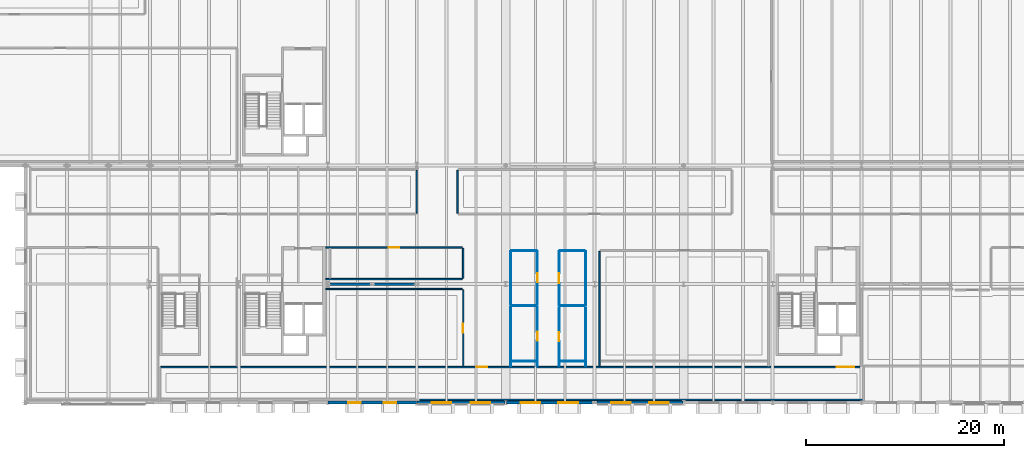
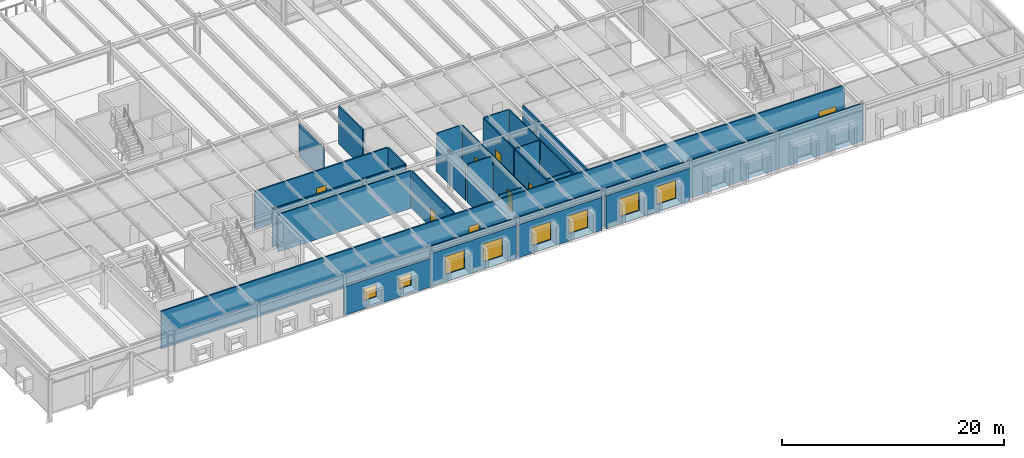
# One storey, part 110 of 127: 29 walls, 9 windows, 7 doors, 16 openings.
"""IFC4 building model written with IfcOpenShell, lengths in metres."""

from ifc_helpers import new_model, si_unit, direction, frame, frame_2d, origin, place, context, subcontext, project, spatial, rectangle, extrude, material, layer, layer_set, type_object, element, fill, save


model = new_model("IFC4")

# Units and contexts
model_context = context("Model", 3, precision=1e-05, world=origin(), true_north=direction((0.0, 1.0)))
body_context = subcontext(model_context, "Body", "Model", "MODEL_VIEW")
ifc_project = project(units=[si_unit("LENGTHUNIT", "METRE"), si_unit("AREAUNIT", "SQUARE_METRE"), si_unit("VOLUMEUNIT", "CUBIC_METRE"), si_unit("PLANEANGLEUNIT", "RADIAN"), si_unit("MASSUNIT", "GRAM", prefix="KILO")], contexts=[model_context])

# Site, building, storey
site_placement = place(None, origin())
site = spatial("IfcSite", under=ifc_project, at=site_placement, CompositionType="ELEMENT")
building_placement = place(site_placement, origin())
building = spatial("IfcBuilding", under=site, at=building_placement, Name="Montelvaro Courts of Justice", CompositionType="ELEMENT")
storey_placement = place(building_placement, frame((0.0, 0.0, 5.39990234375)))
storey = spatial("IfcBuildingStorey", under=building, at=storey_placement, Name="L01", CompositionType="ELEMENT", Elevation=5.39990234375)

# Wall, openings, door, window
ifc_material_1 = material(Name="Gypsum board on metal stud")
ifc_layer_1 = layer(ifc_material_1, 0.14990234375)
ifc_layer_set_1 = layer_set([ifc_layer_1], Name="Gypsum board on metal stud")
wall_type_1 = type_object("IfcWallType", Name="ChambersPartition_150", PredefinedType="PARTITIONING", material=ifc_layer_set_1)
wall_1_placement = place(storey_placement, frame((46.080078125, 3.60009765625, 0.0), z_axis=(0.0, 0.0, 1.0), x_axis=(1.0, 0.0, 0.0)))
wall_1 = element("IfcWall", 1, at=wall_1_placement, inside=storey, type_object=wall_type_1, Name="Interior Partition IW-04 (L01)", PredefinedType="PARTITIONING", context=body_context, shape_type="SweptSolid", body=[
    extrude(rectangle(XDim=71.0400390625, YDim=0.14990234375, at=frame_2d((35.52001953125, 0.0))), origin(), (0.0, 0.0, 1.0), 4.14013671875),
])
opening_1_placement = place(wall_1_placement, frame((31.9951171875, 0.0, 0.0)))
opening_1 = element("IfcOpeningElement", 2, at=opening_1_placement, cuts=wall_1, Name="Opening D-L01-057", PredefinedType="OPENING", context=body_context, shape_type="SweptSolid", body=[
    extrude(rectangle(XDim=1.050048828125, YDim=2.25, at=frame_2d((0.52490234375, 1.125))), frame((0.0, 0.08984375, 0.0), z_axis=(0.0, -1.0, 0.0), x_axis=(1.0, 0.0, 0.0)), (0.0, 0.0, 1.0), 0.1796875),
])
opening_2_placement = place(wall_1_placement, frame((68.389892578125, 0.0, 1.050048828125)))
opening_2 = element("IfcOpeningElement", 3, at=opening_2_placement, cuts=wall_1, Name="Opening WI-01", PredefinedType="OPENING", context=body_context, shape_type="SweptSolid", body=[
    extrude(rectangle(XDim=1.800048828125, YDim=1.10009765625, at=frame_2d((0.89990234375, 0.550048828125))), frame((0.0, 0.08984375, 0.0), z_axis=(0.0, -1.0, 0.0), x_axis=(1.0, 0.0, 0.0)), (0.0, 0.0, 1.0), 0.1796875),
])
ifc_material_2 = material(Name="Acoustic oak timber veneer", Category="wood")
door_type_1 = type_object("IfcDoorType", Name="ChamberDoor_105x225", OperationType="NOTDEFINED", PredefinedType="DOOR", material=ifc_material_2)
door_1_placement = place(opening_1_placement, frame((1.050048828125, 0.0, 0.0), z_axis=(0.0, 0.0, 1.0), x_axis=(-1.0, 0.0, 0.0)))
door_1 = element("IfcDoor", 4, at=door_1_placement, inside=storey, type_object=door_type_1, Name="Interior Door D-L01-057 (South Avenue Judicial Gallery L01)", OperationType="SINGLE_SWING_LEFT", OverallHeight=2.25, OverallWidth=1.050048828125, PredefinedType="DOOR", context=body_context, shape_type="SweptSolid", body=[
    extrude(rectangle(XDim=1.050048828125, YDim=2.25, at=frame_2d((0.52490234375, 1.125))), frame((0.0, 0.02490234375, 0.0), z_axis=(0.0, -1.0, 0.0), x_axis=(1.0, 0.0, 0.0)), (0.0, 0.0, 1.0), 0.050048828125),
])
fill(opening_1, door_1)
ifc_material_3 = material(Name="Acoustic laminated double glazing", Category="glass")
window_type_1 = type_object("IfcWindowType", Name="IntVision_180x110", PartitioningType="SINGLE_PANEL", PredefinedType="WINDOW", material=ifc_material_3)
window_1_placement = place(opening_2_placement, origin())
window_1 = element("IfcWindow", 5, at=window_1_placement, inside=storey, type_object=window_type_1, Name="Interior Vision Panel WI-029", OverallHeight=1.10009765625, OverallWidth=1.800048828125, PartitioningType="SINGLE_PANEL", PredefinedType="WINDOW", context=body_context, shape_type="SweptSolid", body=[
    extrude(rectangle(XDim=1.800048828125, YDim=1.10009765625, at=frame_2d((0.89990234375, 0.550048828125))), frame((0.0, 0.030029296875, 0.0), z_axis=(0.0, -1.0, 0.0), x_axis=(1.0, 0.0, 0.0)), (0.0, 0.0, 1.0), 0.06005859375),
])
fill(opening_2, window_1)

# Walls
wall_2_placement = place(storey_placement, frame((117.19189453125, 0.300048828125, 0.0), z_axis=(0.0, 0.0, 1.0), x_axis=(-1.0, 0.0, 0.0)))
element("IfcWall", 6, at=wall_2_placement, inside=storey, type_object=wall_type_1, Name="Interior Partition IW-04 (L01)", PredefinedType="PARTITIONING", context=body_context, shape_type="SweptSolid", body=[
    extrude(rectangle(XDim=44.912841796875, YDim=0.14990234375, at=frame_2d((22.45654296875, 0.0))), origin(), (0.0, 0.0, 1.0), 4.14013671875),
])
wall_3_placement = place(storey_placement, frame((76.699951171875, 15.6201171875, 0.0), z_axis=(0.0, 0.0, 1.0), x_axis=(0.0, -1.0, 0.0)))
element("IfcWall", 7, at=wall_3_placement, inside=storey, type_object=wall_type_1, Name="Interior Partition IW-04 (L01)", PredefinedType="PARTITIONING", context=body_context, shape_type="SweptSolid", body=[
    extrude(rectangle(XDim=3.0400390625, YDim=0.14990234375, at=frame_2d((1.52001953125, 0.0))), origin(), (0.0, 0.0, 1.0), 4.14013671875),
])
wall_4_placement = place(storey_placement, frame((76.6201171875, 12.5, 0.0), z_axis=(0.0, 0.0, 1.0), x_axis=(-1.0, 0.0, 0.0)))
element("IfcWall", 8, at=wall_4_placement, inside=storey, type_object=wall_type_1, Name="Interior Partition IW-04 (L01)", PredefinedType="PARTITIONING", context=body_context, shape_type="SweptSolid", body=[
    extrude(rectangle(XDim=13.8251953125, YDim=0.14990234375, at=frame_2d((6.91259765625, 0.0))), origin(), (0.0, 0.0, 1.0), 4.14013671875),
])

# Wall, opening, door
wall_5_placement = place(storey_placement, frame((62.794921875, 15.699951171875, 0.0), z_axis=(0.0, 0.0, 1.0), x_axis=(1.0, 0.0, 0.0)))
wall_5 = element("IfcWall", 9, at=wall_5_placement, inside=storey, type_object=wall_type_1, Name="Interior Partition IW-04 (L01)", PredefinedType="PARTITIONING", context=body_context, shape_type="SweptSolid", body=[
    extrude(rectangle(XDim=13.8251953125, YDim=0.14990234375, at=frame_2d((6.91259765625, 0.0))), origin(), (0.0, 0.0, 1.0), 4.14013671875),
])
opening_3_placement = place(wall_5_placement, frame((6.387939453125, 0.0, 0.0)))
opening_3 = element("IfcOpeningElement", 10, at=opening_3_placement, cuts=wall_5, Name="Opening D-L01-071", PredefinedType="OPENING", context=body_context, shape_type="SweptSolid", body=[
    extrude(rectangle(XDim=1.050048828125, YDim=2.25, at=frame_2d((0.52490234375, 1.125))), frame((0.0, 0.08984375, 0.0), z_axis=(0.0, -1.0, 0.0), x_axis=(1.0, 0.0, 0.0)), (0.0, 0.0, 1.0), 0.1796875),
])
door_2_placement = place(opening_3_placement, frame((1.050048828125, 0.0, 0.0), z_axis=(0.0, 0.0, 1.0), x_axis=(-1.0, 0.0, 0.0)))
door_2 = element("IfcDoor", 11, at=door_2_placement, inside=storey, type_object=door_type_1, Name="Interior Door D-L01-071 (Magistrates' Clerks Office L01)", OperationType="SINGLE_SWING_RIGHT", OverallHeight=2.25, OverallWidth=1.050048828125, PredefinedType="DOOR", context=body_context, shape_type="SweptSolid", body=[
    extrude(rectangle(XDim=1.050048828125, YDim=2.25, at=frame_2d((0.52490234375, 1.125))), frame((0.0, 0.02490234375, 0.0), z_axis=(0.0, -1.0, 0.0), x_axis=(1.0, 0.0, 0.0)), (0.0, 0.0, 1.0), 0.050048828125),
])
fill(opening_3, door_2)

# Walls
wall_6_placement = place(storey_placement, frame((76.10009765625, 19.179931640625, 0.0), z_axis=(0.0, 0.0, 1.0), x_axis=(0.0, 1.0, 0.0)))
element("IfcWall", 12, at=wall_6_placement, inside=storey, type_object=wall_type_1, Name="Interior Partition IW-04 (L01)", PredefinedType="PARTITIONING", context=body_context, shape_type="SweptSolid", body=[
    extrude(rectangle(XDim=4.340087890625, YDim=0.14990234375, at=frame_2d((2.169921875, 0.0))), origin(), (0.0, 0.0, 1.0), 4.14013671875),
])
wall_7_placement = place(storey_placement, frame((90.5, 3.669921875, 0.0), z_axis=(0.0, 0.0, 1.0), x_axis=(0.0, 1.0, 0.0)))
element("IfcWall", 13, at=wall_7_placement, inside=storey, type_object=wall_type_1, Name="Interior Partition IW-04 (L01)", PredefinedType="PARTITIONING", context=body_context, shape_type="SweptSolid", body=[
    extrude(rectangle(XDim=11.650146484375, YDim=0.14990234375, at=frame_2d((5.8251953125, 0.0))), origin(), (0.0, 0.0, 1.0), 4.14013671875),
])

# Wall, openings, windows
ifc_material_4 = material(Name="White mineral precast concrete C45/55", Category="concrete")
ifc_layer_2 = layer(ifc_material_4, 0.300048828125)
ifc_layer_set_2 = layer_set([ifc_layer_2], Name="White mineral precast concrete C45/55")
wall_type_2 = type_object("IfcWallType", Name="ExtWall_GFRC_300", PredefinedType="SOLIDWALL", material=ifc_layer_set_2)
wall_8_placement = place(storey_placement, frame((63.008056640625, 0.0, 0.0), z_axis=(0.0, 0.0, 1.0), x_axis=(1.0, 0.0, 0.0)))
wall_8 = element("IfcWall", 14, at=wall_8_placement, inside=storey, type_object=wall_type_2, Name="Exterior Facade Wall EW-02 (L01)", PredefinedType="SOLIDWALL", context=body_context, shape_type="SweptSolid", body=[
    extrude(rectangle(XDim=8.98388671875, YDim=0.300048828125, at=frame_2d((4.491943359375, 0.0))), origin(), (0.0, 0.0, 1.0), 3.147216796875),
])
opening_4_placement = place(wall_8_placement, frame((2.044921875, 0.0, 0.89990234375)))
opening_4 = element("IfcOpeningElement", 15, at=opening_4_placement, cuts=wall_8, Name="Opening WE-18", PredefinedType="OPENING", context=body_context, shape_type="SweptSolid", body=[
    extrude(rectangle(XDim=1.300048828125, YDim=1.300048828125, at=frame_2d((0.64990234375, 0.64990234375))), frame((0.0, 0.1650390625, 0.0), z_axis=(0.0, -1.0, 0.0), x_axis=(1.0, 0.0, 0.0)), (0.0, 0.0, 1.0), 0.329833984375),
])
opening_5_placement = place(wall_8_placement, frame((5.638916015625, 0.0, 0.89990234375)))
opening_5 = element("IfcOpeningElement", 16, at=opening_5_placement, cuts=wall_8, Name="Opening WE-18", PredefinedType="OPENING", context=body_context, shape_type="SweptSolid", body=[
    extrude(rectangle(XDim=1.300048828125, YDim=1.300048828125, at=frame_2d((0.64990234375, 0.64990234375))), frame((0.0, 0.1650390625, 0.0), z_axis=(0.0, -1.0, 0.0), x_axis=(1.0, 0.0, 0.0)), (0.0, 0.0, 1.0), 0.329833984375),
])
ifc_material_5 = material(Name="Low-E solar control double glazing", Category="glass")
window_type_2 = type_object("IfcWindowType", Name="Win_Sq_130x130", PartitioningType="SINGLE_PANEL", PredefinedType="WINDOW", material=ifc_material_5)
window_2_placement = place(opening_4_placement, origin())
window_2 = element("IfcWindow", 17, at=window_2_placement, inside=storey, type_object=window_type_2, Name="Window W-L01-054", OverallHeight=1.300048828125, OverallWidth=1.300048828125, PartitioningType="SINGLE_PANEL", PredefinedType="WINDOW", context=body_context, shape_type="SweptSolid", body=[
    extrude(rectangle(XDim=1.300048828125, YDim=1.300048828125, at=frame_2d((0.64990234375, 0.64990234375))), frame((0.0, 0.030029296875, 0.0), z_axis=(0.0, -1.0, 0.0), x_axis=(1.0, 0.0, 0.0)), (0.0, 0.0, 1.0), 0.06005859375),
])
fill(opening_4, window_2)
window_3_placement = place(opening_5_placement, origin())
window_3 = element("IfcWindow", 18, at=window_3_placement, inside=storey, type_object=window_type_2, Name="Window W-L01-055", OverallHeight=1.300048828125, OverallWidth=1.300048828125, PartitioningType="SINGLE_PANEL", PredefinedType="WINDOW", context=body_context, shape_type="SweptSolid", body=[
    extrude(rectangle(XDim=1.300048828125, YDim=1.300048828125, at=frame_2d((0.64990234375, 0.64990234375))), frame((0.0, 0.030029296875, 0.0), z_axis=(0.0, -1.0, 0.0), x_axis=(1.0, 0.0, 0.0)), (0.0, 0.0, 1.0), 0.06005859375),
])
fill(opening_5, window_3)

wall_9_placement = place(storey_placement, frame((72.008056640625, 0.0, 0.0), z_axis=(0.0, 0.0, 1.0), x_axis=(1.0, 0.0, 0.0)))
wall_9 = element("IfcWall", 19, at=wall_9_placement, inside=storey, type_object=wall_type_2, Name="Exterior Facade Wall EW-02 (L01)", PredefinedType="SOLIDWALL", context=body_context, shape_type="SweptSolid", body=[
    extrude(rectangle(XDim=8.933837890625, YDim=0.300048828125, at=frame_2d((4.466796875, 0.0))), origin(), (0.0, 0.0, 1.0), 3.635009765625),
])
opening_6_placement = place(wall_9_placement, frame((1.501953125, 0.0, 0.800048828125)))
opening_6 = element("IfcOpeningElement", 20, at=opening_6_placement, cuts=wall_9, Name="Opening WE-11", PredefinedType="OPENING", context=body_context, shape_type="SweptSolid", body=[
    extrude(rectangle(XDim=2.0, YDim=2.0, at=frame_2d((1.0, 1.0))), frame((0.0, 0.1650390625, 0.0), z_axis=(0.0, -1.0, 0.0), x_axis=(1.0, 0.0, 0.0)), (0.0, 0.0, 1.0), 0.329833984375),
])
opening_7_placement = place(wall_9_placement, frame((5.431884765625, 0.0, 0.800048828125)))
opening_7 = element("IfcOpeningElement", 21, at=opening_7_placement, cuts=wall_9, Name="Opening WE-11", PredefinedType="OPENING", context=body_context, shape_type="SweptSolid", body=[
    extrude(rectangle(XDim=2.0, YDim=2.0, at=frame_2d((1.0, 1.0))), frame((0.0, 0.1650390625, 0.0), z_axis=(0.0, -1.0, 0.0), x_axis=(1.0, 0.0, 0.0)), (0.0, 0.0, 1.0), 0.329833984375),
])
window_type_3 = type_object("IfcWindowType", Name="Win_Sq_200x200", PartitioningType="SINGLE_PANEL", PredefinedType="WINDOW", material=ifc_material_5)
window_4_placement = place(opening_6_placement, origin())
window_4 = element("IfcWindow", 22, at=window_4_placement, inside=storey, type_object=window_type_3, Name="Window W-L01-056", OverallHeight=2.0, OverallWidth=2.0, PartitioningType="SINGLE_PANEL", PredefinedType="WINDOW", context=body_context, shape_type="SweptSolid", body=[
    extrude(rectangle(XDim=2.0, YDim=2.0, at=frame_2d((1.0, 1.0))), frame((0.0, 0.030029296875, 0.0), z_axis=(0.0, -1.0, 0.0), x_axis=(1.0, 0.0, 0.0)), (0.0, 0.0, 1.0), 0.06005859375),
])
fill(opening_6, window_4)
window_5_placement = place(opening_7_placement, origin())
window_5 = element("IfcWindow", 23, at=window_5_placement, inside=storey, type_object=window_type_3, Name="Window W-L01-057", OverallHeight=2.0, OverallWidth=2.0, PartitioningType="SINGLE_PANEL", PredefinedType="WINDOW", context=body_context, shape_type="SweptSolid", body=[
    extrude(rectangle(XDim=2.0, YDim=2.0, at=frame_2d((1.0, 1.0))), frame((0.0, 0.030029296875, 0.0), z_axis=(0.0, -1.0, 0.0), x_axis=(1.0, 0.0, 0.0)), (0.0, 0.0, 1.0), 0.06005859375),
])
fill(opening_7, window_5)

wall_10_placement = place(storey_placement, frame((81.05810546875, 0.0, 0.0), z_axis=(0.0, 0.0, 1.0), x_axis=(1.0, 0.0, 0.0)))
wall_10 = element("IfcWall", 24, at=wall_10_placement, inside=storey, type_object=wall_type_2, Name="Exterior Facade Wall EW-02 (L01)", PredefinedType="SOLIDWALL", context=body_context, shape_type="SweptSolid", body=[
    extrude(rectangle(XDim=8.718994140625, YDim=0.300048828125, at=frame_2d((4.359375, 0.0))), origin(), (0.0, 0.0, 1.0), 3.635009765625),
])
opening_8_placement = place(wall_10_placement, frame((1.44091796875, 0.0, 0.800048828125)))
opening_8 = element("IfcOpeningElement", 25, at=opening_8_placement, cuts=wall_10, Name="Opening WE-11", PredefinedType="OPENING", context=body_context, shape_type="SweptSolid", body=[
    extrude(rectangle(XDim=2.0, YDim=2.0, at=frame_2d((1.0, 1.0))), frame((0.0, 0.1650390625, 0.0), z_axis=(0.0, -1.0, 0.0), x_axis=(1.0, 0.0, 0.0)), (0.0, 0.0, 1.0), 0.329833984375),
])
opening_9_placement = place(wall_10_placement, frame((5.278076171875, 0.0, 0.800048828125)))
opening_9 = element("IfcOpeningElement", 26, at=opening_9_placement, cuts=wall_10, Name="Opening WE-11", PredefinedType="OPENING", context=body_context, shape_type="SweptSolid", body=[
    extrude(rectangle(XDim=2.0, YDim=2.0, at=frame_2d((1.0, 1.0))), frame((0.0, 0.1650390625, 0.0), z_axis=(0.0, -1.0, 0.0), x_axis=(1.0, 0.0, 0.0)), (0.0, 0.0, 1.0), 0.329833984375),
])
window_6_placement = place(opening_8_placement, origin())
window_6 = element("IfcWindow", 27, at=window_6_placement, inside=storey, type_object=window_type_3, Name="Window W-L01-062", OverallHeight=2.0, OverallWidth=2.0, PartitioningType="SINGLE_PANEL", PredefinedType="WINDOW", context=body_context, shape_type="SweptSolid", body=[
    extrude(rectangle(XDim=2.0, YDim=2.0, at=frame_2d((1.0, 1.0))), frame((0.0, 0.030029296875, 0.0), z_axis=(0.0, -1.0, 0.0), x_axis=(1.0, 0.0, 0.0)), (0.0, 0.0, 1.0), 0.06005859375),
])
fill(opening_8, window_6)
window_7_placement = place(opening_9_placement, origin())
window_7 = element("IfcWindow", 28, at=window_7_placement, inside=storey, type_object=window_type_3, Name="Window W-L01-063", OverallHeight=2.0, OverallWidth=2.0, PartitioningType="SINGLE_PANEL", PredefinedType="WINDOW", context=body_context, shape_type="SweptSolid", body=[
    extrude(rectangle(XDim=2.0, YDim=2.0, at=frame_2d((1.0, 1.0))), frame((0.0, 0.030029296875, 0.0), z_axis=(0.0, -1.0, 0.0), x_axis=(1.0, 0.0, 0.0)), (0.0, 0.0, 1.0), 0.06005859375),
])
fill(opening_9, window_7)

wall_11_placement = place(storey_placement, frame((90.222900390625, 0.0, 0.0), z_axis=(0.0, 0.0, 1.0), x_axis=(1.0, 0.0, 0.0)))
wall_11 = element("IfcWall", 29, at=wall_11_placement, inside=storey, type_object=wall_type_2, Name="Exterior Facade Wall EW-02 (L01)", PredefinedType="SOLIDWALL", context=body_context, shape_type="SweptSolid", body=[
    extrude(rectangle(XDim=8.718994140625, YDim=0.300048828125, at=frame_2d((4.359375, 0.0))), origin(), (0.0, 0.0, 1.0), 3.635009765625),
])
opening_10_placement = place(wall_11_placement, frame((1.44091796875, 0.0, 0.800048828125)))
opening_10 = element("IfcOpeningElement", 30, at=opening_10_placement, cuts=wall_11, Name="Opening WE-11", PredefinedType="OPENING", context=body_context, shape_type="SweptSolid", body=[
    extrude(rectangle(XDim=2.0, YDim=2.0, at=frame_2d((1.0, 1.0))), frame((0.0, 0.1650390625, 0.0), z_axis=(0.0, -1.0, 0.0), x_axis=(1.0, 0.0, 0.0)), (0.0, 0.0, 1.0), 0.329833984375),
])
opening_11_placement = place(wall_11_placement, frame((5.278076171875, 0.0, 0.800048828125)))
opening_11 = element("IfcOpeningElement", 31, at=opening_11_placement, cuts=wall_11, Name="Opening WE-11", PredefinedType="OPENING", context=body_context, shape_type="SweptSolid", body=[
    extrude(rectangle(XDim=2.0, YDim=2.0, at=frame_2d((1.0, 1.0))), frame((0.0, 0.1650390625, 0.0), z_axis=(0.0, -1.0, 0.0), x_axis=(1.0, 0.0, 0.0)), (0.0, 0.0, 1.0), 0.329833984375),
])
window_8_placement = place(opening_10_placement, origin())
window_8 = element("IfcWindow", 32, at=window_8_placement, inside=storey, type_object=window_type_3, Name="Window W-L01-064", OverallHeight=2.0, OverallWidth=2.0, PartitioningType="SINGLE_PANEL", PredefinedType="WINDOW", context=body_context, shape_type="SweptSolid", body=[
    extrude(rectangle(XDim=2.0, YDim=2.0, at=frame_2d((1.0, 1.0))), frame((0.0, 0.030029296875, 0.0), z_axis=(0.0, -1.0, 0.0), x_axis=(1.0, 0.0, 0.0)), (0.0, 0.0, 1.0), 0.06005859375),
])
fill(opening_10, window_8)
window_9_placement = place(opening_11_placement, origin())
window_9 = element("IfcWindow", 33, at=window_9_placement, inside=storey, type_object=window_type_3, Name="Window W-L01-065", OverallHeight=2.0, OverallWidth=2.0, PartitioningType="SINGLE_PANEL", PredefinedType="WINDOW", context=body_context, shape_type="SweptSolid", body=[
    extrude(rectangle(XDim=2.0, YDim=2.0, at=frame_2d((1.0, 1.0))), frame((0.0, 0.030029296875, 0.0), z_axis=(0.0, -1.0, 0.0), x_axis=(1.0, 0.0, 0.0)), (0.0, 0.0, 1.0), 0.06005859375),
])
fill(opening_11, window_9)

# Wall, opening, door
ifc_layer_3 = layer(ifc_material_1, 0.1201171875)
ifc_layer_set_3 = layer_set([ifc_layer_3], Name="Gypsum board on metal stud")
wall_type_3 = type_object("IfcWallType", Name="OfficePartition_120", PredefinedType="PARTITIONING", material=ifc_layer_set_3)
wall_12_placement = place(storey_placement, frame((76.699951171875, 11.419921875, 0.0), z_axis=(0.0, 0.0, 1.0), x_axis=(0.0, -1.0, 0.0)))
wall_12 = element("IfcWall", 34, at=wall_12_placement, inside=storey, type_object=wall_type_3, Name="Interior Partition IW-05 (L01)", PredefinedType="PARTITIONING", context=body_context, shape_type="SweptSolid", body=[
    extrude(rectangle(XDim=7.75, YDim=0.1201171875, at=frame_2d((3.875, 0.0))), origin(), (0.0, 0.0, 1.0), 4.14013671875),
])
opening_12_placement = place(wall_12_placement, frame((3.425048828125, 0.0, 0.0)))
opening_12 = element("IfcOpeningElement", 35, at=opening_12_placement, cuts=wall_12, Name="Opening D-L01-070", PredefinedType="OPENING", context=body_context, shape_type="SweptSolid", body=[
    extrude(rectangle(XDim=0.89990234375, YDim=2.10009765625, at=frame_2d((0.449951171875, 1.050048828125))), frame((0.0, 0.074951171875, 0.0), z_axis=(0.0, -1.0, 0.0), x_axis=(1.0, 0.0, 0.0)), (0.0, 0.0, 1.0), 0.14990234375),
])
door_type_2 = type_object("IfcDoorType", Name="OfficeDoor_090x210", OperationType="NOTDEFINED", PredefinedType="DOOR", material=ifc_material_2)
door_3_placement = place(opening_12_placement, origin())
door_3 = element("IfcDoor", 36, at=door_3_placement, inside=storey, type_object=door_type_2, Name="Interior Door D-L01-070 (Duty Guard Magistrates' Chambers L01)", OperationType="SINGLE_SWING_LEFT", OverallHeight=2.10009765625, OverallWidth=0.89990234375, PredefinedType="DOOR", context=body_context, shape_type="SweptSolid", body=[
    extrude(rectangle(XDim=0.89990234375, YDim=2.10009765625, at=frame_2d((0.449951171875, 1.050048828125))), frame((0.0, 0.02490234375, 0.0), z_axis=(0.0, -1.0, 0.0), x_axis=(1.0, 0.0, 0.0)), (0.0, 0.0, 1.0), 0.050048828125),
])
fill(opening_12, door_3)

# Walls
wall_13_placement = place(storey_placement, frame((62.794921875, 11.5, 0.0), z_axis=(0.0, 0.0, 1.0), x_axis=(1.0, 0.0, 0.0)))
element("IfcWall", 37, at=wall_13_placement, inside=storey, type_object=wall_type_3, Name="Interior Partition IW-05 (L01)", PredefinedType="PARTITIONING", context=body_context, shape_type="SweptSolid", body=[
    extrude(rectangle(XDim=13.8251953125, YDim=0.1201171875, at=frame_2d((6.91259765625, 0.0))), origin(), (0.0, 0.0, 1.0), 4.14013671875),
])
wall_14_placement = place(storey_placement, frame((72.0, 23.52001953125, 0.0), z_axis=(0.0, 0.0, 1.0), x_axis=(0.0, -1.0, 0.0)))
element("IfcWall", 38, at=wall_14_placement, inside=storey, type_object=wall_type_3, Name="Interior Partition IW-05 (L01)", PredefinedType="PARTITIONING", context=body_context, shape_type="SweptSolid", body=[
    extrude(rectangle(XDim=4.340087890625, YDim=0.1201171875, at=frame_2d((2.169921875, 0.0))), origin(), (0.0, 0.0, 1.0), 3.625),
])
ifc_material_6 = material(Name="Concrete C35/45", Category="concrete")
ifc_layer_4 = layer(ifc_material_6, 0.239990234375)
ifc_layer_set_4 = layer_set([ifc_layer_4], Name="Concrete C35/45")
wall_type_4 = type_object("IfcWallType", Name="ShaftWall_240", PredefinedType="SHEAR", material=ifc_layer_set_4)
wall_15_placement = place(storey_placement, frame((63.008056640625, 12.0, 0.0), z_axis=(0.0, 0.0, 1.0), x_axis=(1.0, 0.0, 0.0)))
element("IfcWall", 39, at=wall_15_placement, inside=storey, type_object=wall_type_4, Name="Enclosed Braced Frame Structural Wall CBF1 (L01)", PredefinedType="SHEAR", context=body_context, shape_type="SweptSolid", body=[
    extrude(rectangle(XDim=8.7939453125, YDim=0.239990234375, at=frame_2d((4.39697265625, 0.0))), origin(), (0.0, 0.0, 1.0), 3.585205078125),
])

# Wall, opening, door
ifc_material_7 = material(Name="Moisture-resistant cement board")
ifc_layer_5 = layer(ifc_material_7, 0.10009765625)
ifc_layer_set_5 = layer_set([ifc_layer_5], Name="Moisture-resistant cement board")
wall_type_5 = type_object("IfcWallType", Name="WetWall_100", PredefinedType="PARTITIONING", material=ifc_layer_set_5)
wall_16_placement = place(storey_placement, frame((84.199951171875, 9.719970703125, 0.0), z_axis=(0.0, 0.0, 1.0), x_axis=(0.0, -1.0, 0.0)))
wall_16 = element("IfcWall", 40, at=wall_16_placement, inside=storey, type_object=wall_type_5, Name="Interior Partition IW-06 (L01)", PredefinedType="PARTITIONING", context=body_context, shape_type="SweptSolid", body=[
    extrude(rectangle(XDim=6.050048828125, YDim=0.10009765625, at=frame_2d((3.02490234375, 0.0))), origin(), (0.0, 0.0, 1.0), 4.14013671875),
])
opening_13_placement = place(wall_16_placement, frame((2.529052734375, 0.0, 0.0)))
opening_13 = element("IfcOpeningElement", 41, at=opening_13_placement, cuts=wall_16, Name="Opening D-L01-077", PredefinedType="OPENING", context=body_context, shape_type="SweptSolid", body=[
    extrude(rectangle(XDim=0.89990234375, YDim=2.050048828125, at=frame_2d((0.449951171875, 1.02490234375))), frame((0.0, 0.06494140625, 0.0), z_axis=(0.0, -1.0, 0.0), x_axis=(1.0, 0.0, 0.0)), (0.0, 0.0, 1.0), 0.1298828125),
])
door_type_3 = type_object("IfcDoorType", Name="RestroomDoor_090x205", OperationType="NOTDEFINED", PredefinedType="DOOR", material=ifc_material_2)
door_4_placement = place(opening_13_placement, frame((0.89990234375, 0.0, 0.0), z_axis=(0.0, 0.0, 1.0), x_axis=(-1.0, 0.0, 0.0)))
door_4 = element("IfcDoor", 42, at=door_4_placement, inside=storey, type_object=door_type_3, Name="Interior Door D-L01-077 (First Floor Male Restroom)", OperationType="SINGLE_SWING_RIGHT", OverallHeight=2.050048828125, OverallWidth=0.89990234375, PredefinedType="DOOR", context=body_context, shape_type="SweptSolid", body=[
    extrude(rectangle(XDim=0.89990234375, YDim=2.050048828125, at=frame_2d((0.449951171875, 1.02490234375))), frame((0.0, 0.02490234375, 0.0), z_axis=(0.0, -1.0, 0.0), x_axis=(1.0, 0.0, 0.0)), (0.0, 0.0, 1.0), 0.050048828125),
])
fill(opening_13, door_4)

# Walls
wall_17_placement = place(storey_placement, frame((84.155029296875, 4.199951171875, 0.0), z_axis=(0.0, 0.0, 1.0), x_axis=(-1.0, 0.0, 0.0)))
element("IfcWall", 43, at=wall_17_placement, inside=storey, type_object=wall_type_5, Name="Interior Partition IW-06 (L01)", PredefinedType="PARTITIONING", context=body_context, shape_type="SweptSolid", body=[
    extrude(rectangle(XDim=2.574951171875, YDim=0.10009765625, at=frame_2d((1.28759765625, 0.0))), origin(), (0.0, 0.0, 1.0), 4.14013671875),
])
wall_18_placement = place(storey_placement, frame((81.5, 3.669921875, 0.0), z_axis=(0.0, 0.0, 1.0), x_axis=(0.0, 1.0, 0.0)))
element("IfcWall", 44, at=wall_18_placement, inside=storey, type_object=wall_type_5, Name="Interior Partition IW-06 (L01)", PredefinedType="PARTITIONING", context=body_context, shape_type="SweptSolid", body=[
    extrude(rectangle(XDim=6.050048828125, YDim=0.10009765625, at=frame_2d((3.02490234375, 0.0))), origin(), (0.0, 0.0, 1.0), 3.695068359375),
])
wall_19_placement = place(storey_placement, frame((81.580078125, 9.800048828125, 0.0), z_axis=(0.0, 0.0, 1.0), x_axis=(1.0, 0.0, 0.0)))
element("IfcWall", 45, at=wall_19_placement, inside=storey, type_object=wall_type_5, Name="Interior Partition IW-06 (L01)", PredefinedType="PARTITIONING", context=body_context, shape_type="SweptSolid", body=[
    extrude(rectangle(XDim=2.5400390625, YDim=0.10009765625, at=frame_2d((1.27001953125, 0.0))), origin(), (0.0, 0.0, 1.0), 4.14013671875),
])
wall_20_placement = place(storey_placement, frame((81.5, 9.97998046875, 0.0), z_axis=(0.0, 0.0, 1.0), x_axis=(0.0, 1.0, 0.0)))
element("IfcWall", 46, at=wall_20_placement, inside=storey, type_object=wall_type_5, Name="Interior Partition IW-06 (L01)", PredefinedType="PARTITIONING", context=body_context, shape_type="SweptSolid", body=[
    extrude(rectangle(XDim=5.340087890625, YDim=0.10009765625, at=frame_2d((2.669921875, 0.0))), origin(), (0.0, 0.0, 1.0), 3.695068359375),
])
wall_21_placement = place(storey_placement, frame((81.580078125, 15.39990234375, 0.0), z_axis=(0.0, 0.0, 1.0), x_axis=(1.0, 0.0, 0.0)))
element("IfcWall", 47, at=wall_21_placement, inside=storey, type_object=wall_type_5, Name="Interior Partition IW-06 (L01)", PredefinedType="PARTITIONING", context=body_context, shape_type="SweptSolid", body=[
    extrude(rectangle(XDim=2.5400390625, YDim=0.10009765625, at=frame_2d((1.27001953125, 0.0))), origin(), (0.0, 0.0, 1.0), 4.14013671875),
])

# Wall, opening, door
wall_22_placement = place(storey_placement, frame((84.199951171875, 15.320068359375, 0.0), z_axis=(0.0, 0.0, 1.0), x_axis=(0.0, -1.0, 0.0)))
wall_22 = element("IfcWall", 48, at=wall_22_placement, inside=storey, type_object=wall_type_5, Name="Interior Partition IW-06 (L01)", PredefinedType="PARTITIONING", context=body_context, shape_type="SweptSolid", body=[
    extrude(rectangle(XDim=5.340087890625, YDim=0.10009765625, at=frame_2d((2.669921875, 0.0))), origin(), (0.0, 0.0, 1.0), 4.14013671875),
])
opening_14_placement = place(wall_22_placement, frame((2.219970703125, 0.0, 0.0)))
opening_14 = element("IfcOpeningElement", 49, at=opening_14_placement, cuts=wall_22, Name="Opening D-L01-078", PredefinedType="OPENING", context=body_context, shape_type="SweptSolid", body=[
    extrude(rectangle(XDim=0.89990234375, YDim=2.050048828125, at=frame_2d((0.449951171875, 1.02490234375))), frame((0.0, 0.06494140625, 0.0), z_axis=(0.0, -1.0, 0.0), x_axis=(1.0, 0.0, 0.0)), (0.0, 0.0, 1.0), 0.1298828125),
])
door_5_placement = place(opening_14_placement, origin())
door_5 = element("IfcDoor", 50, at=door_5_placement, inside=storey, type_object=door_type_3, Name="Interior Door D-L01-078 (First Floor Female Restroom)", OperationType="SINGLE_SWING_LEFT", OverallHeight=2.050048828125, OverallWidth=0.89990234375, PredefinedType="DOOR", context=body_context, shape_type="SweptSolid", body=[
    extrude(rectangle(XDim=0.89990234375, YDim=2.050048828125, at=frame_2d((0.449951171875, 1.02490234375))), frame((0.0, 0.02490234375, 0.0), z_axis=(0.0, -1.0, 0.0), x_axis=(1.0, 0.0, 0.0)), (0.0, 0.0, 1.0), 0.050048828125),
])
fill(opening_14, door_5)

wall_23_placement = place(storey_placement, frame((86.39990234375, 9.8798828125, 0.0), z_axis=(0.0, 0.0, 1.0), x_axis=(0.0, 1.0, 0.0)))
wall_23 = element("IfcWall", 51, at=wall_23_placement, inside=storey, type_object=wall_type_5, Name="Interior Partition IW-06 (L01)", PredefinedType="PARTITIONING", context=body_context, shape_type="SweptSolid", body=[
    extrude(rectangle(XDim=5.440185546875, YDim=0.10009765625, at=frame_2d((2.72021484375, 0.0))), origin(), (0.0, 0.0, 1.0), 4.14013671875),
])
opening_15_placement = place(wall_23_placement, frame((2.219970703125, 0.0, 0.0)))
opening_15 = element("IfcOpeningElement", 52, at=opening_15_placement, cuts=wall_23, Name="Opening D-L01-079", PredefinedType="OPENING", context=body_context, shape_type="SweptSolid", body=[
    extrude(rectangle(XDim=1.0, YDim=2.10009765625, at=frame_2d((0.5, 1.050048828125))), frame((0.0, 0.06494140625, 0.0), z_axis=(0.0, -1.0, 0.0), x_axis=(1.0, 0.0, 0.0)), (0.0, 0.0, 1.0), 0.1298828125),
])
door_type_4 = type_object("IfcDoorType", Name="AccessibleWCDoor_100x210", OperationType="NOTDEFINED", PredefinedType="DOOR", material=ifc_material_2)
door_6_placement = place(opening_15_placement, frame((1.0, 0.0, 0.0), z_axis=(0.0, 0.0, 1.0), x_axis=(-1.0, 0.0, 0.0)))
door_6 = element("IfcDoor", 53, at=door_6_placement, inside=storey, type_object=door_type_4, Name="Interior Door D-L01-079 (First Floor Accessible WC)", OperationType="SINGLE_SWING_RIGHT", OverallHeight=2.10009765625, OverallWidth=1.0, PredefinedType="DOOR", context=body_context, shape_type="SweptSolid", body=[
    extrude(rectangle(XDim=1.0, YDim=2.10009765625, at=frame_2d((0.5, 1.050048828125))), frame((0.0, 0.02490234375, 0.0), z_axis=(0.0, -1.0, 0.0), x_axis=(1.0, 0.0, 0.0)), (0.0, 0.0, 1.0), 0.050048828125),
])
fill(opening_15, door_6)

# Walls
wall_24_placement = place(storey_placement, frame((86.47998046875, 15.39990234375, 0.0), z_axis=(0.0, 0.0, 1.0), x_axis=(1.0, 0.0, 0.0)))
element("IfcWall", 54, at=wall_24_placement, inside=storey, type_object=wall_type_5, Name="Interior Partition IW-06 (L01)", PredefinedType="PARTITIONING", context=body_context, shape_type="SweptSolid", body=[
    extrude(rectangle(XDim=2.5400390625, YDim=0.10009765625, at=frame_2d((1.27001953125, 0.0))), origin(), (0.0, 0.0, 1.0), 4.14013671875),
])
wall_25_placement = place(storey_placement, frame((89.10009765625, 15.320068359375, 0.0), z_axis=(0.0, 0.0, 1.0), x_axis=(0.0, -1.0, 0.0)))
element("IfcWall", 55, at=wall_25_placement, inside=storey, type_object=wall_type_5, Name="Interior Partition IW-06 (L01)", PredefinedType="PARTITIONING", context=body_context, shape_type="SweptSolid", body=[
    extrude(rectangle(XDim=5.440185546875, YDim=0.10009765625, at=frame_2d((2.72021484375, 0.0))), origin(), (0.0, 0.0, 1.0), 4.14013671875),
])
wall_26_placement = place(storey_placement, frame((89.02001953125, 9.800048828125, 0.0), z_axis=(0.0, 0.0, 1.0), x_axis=(-1.0, 0.0, 0.0)))
element("IfcWall", 56, at=wall_26_placement, inside=storey, type_object=wall_type_5, Name="Interior Partition IW-06 (L01)", PredefinedType="PARTITIONING", context=body_context, shape_type="SweptSolid", body=[
    extrude(rectangle(XDim=2.5400390625, YDim=0.10009765625, at=frame_2d((1.27001953125, 0.0))), origin(), (0.0, 0.0, 1.0), 4.14013671875),
])
wall_27_placement = place(storey_placement, frame((89.10009765625, 9.6201171875, 0.0), z_axis=(0.0, 0.0, 1.0), x_axis=(0.0, -1.0, 0.0)))
element("IfcWall", 57, at=wall_27_placement, inside=storey, type_object=wall_type_5, Name="Interior Partition IW-06 (L01)", PredefinedType="PARTITIONING", context=body_context, shape_type="SweptSolid", body=[
    extrude(rectangle(XDim=5.9501953125, YDim=0.10009765625, at=frame_2d((2.97509765625, 0.0))), origin(), (0.0, 0.0, 1.0), 4.14013671875),
])
wall_28_placement = place(storey_placement, frame((89.054931640625, 4.199951171875, 0.0), z_axis=(0.0, 0.0, 1.0), x_axis=(-1.0, 0.0, 0.0)))
element("IfcWall", 58, at=wall_28_placement, inside=storey, type_object=wall_type_5, Name="Interior Partition IW-06 (L01)", PredefinedType="PARTITIONING", context=body_context, shape_type="SweptSolid", body=[
    extrude(rectangle(XDim=2.574951171875, YDim=0.10009765625, at=frame_2d((1.28759765625, 0.0))), origin(), (0.0, 0.0, 1.0), 4.14013671875),
])

# Wall, opening, door
wall_29_placement = place(storey_placement, frame((86.39990234375, 3.669921875, 0.0), z_axis=(0.0, 0.0, 1.0), x_axis=(0.0, 1.0, 0.0)))
wall_29 = element("IfcWall", 59, at=wall_29_placement, inside=storey, type_object=wall_type_5, Name="Interior Partition IW-06 (L01)", PredefinedType="PARTITIONING", context=body_context, shape_type="SweptSolid", body=[
    extrude(rectangle(XDim=5.9501953125, YDim=0.10009765625, at=frame_2d((2.97509765625, 0.0))), origin(), (0.0, 0.0, 1.0), 4.14013671875),
])
opening_16_placement = place(wall_29_placement, frame((2.571044921875, 0.0, 0.0)))
opening_16 = element("IfcOpeningElement", 60, at=opening_16_placement, cuts=wall_29, Name="Opening D-L01-080", PredefinedType="OPENING", context=body_context, shape_type="SweptSolid", body=[
    extrude(rectangle(XDim=0.89990234375, YDim=2.050048828125, at=frame_2d((0.449951171875, 1.02490234375))), frame((0.0, 0.06494140625, 0.0), z_axis=(0.0, -1.0, 0.0), x_axis=(1.0, 0.0, 0.0)), (0.0, 0.0, 1.0), 0.1298828125),
])
door_7_placement = place(opening_16_placement, origin())
door_7 = element("IfcDoor", 61, at=door_7_placement, inside=storey, type_object=door_type_3, Name="Interior Door D-L01-080 (First Floor Cleaners' Store)", OperationType="SINGLE_SWING_LEFT", OverallHeight=2.050048828125, OverallWidth=0.89990234375, PredefinedType="DOOR", context=body_context, shape_type="SweptSolid", body=[
    extrude(rectangle(XDim=0.89990234375, YDim=2.050048828125, at=frame_2d((0.449951171875, 1.02490234375))), frame((0.0, 0.02490234375, 0.0), z_axis=(0.0, -1.0, 0.0), x_axis=(1.0, 0.0, 0.0)), (0.0, 0.0, 1.0), 0.050048828125),
])
fill(opening_16, door_7)

save(model, "model.ifc")
